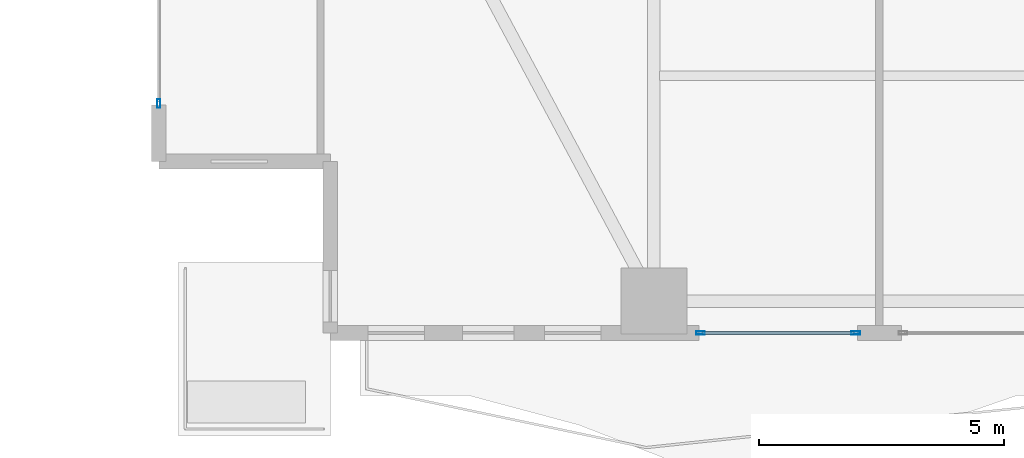
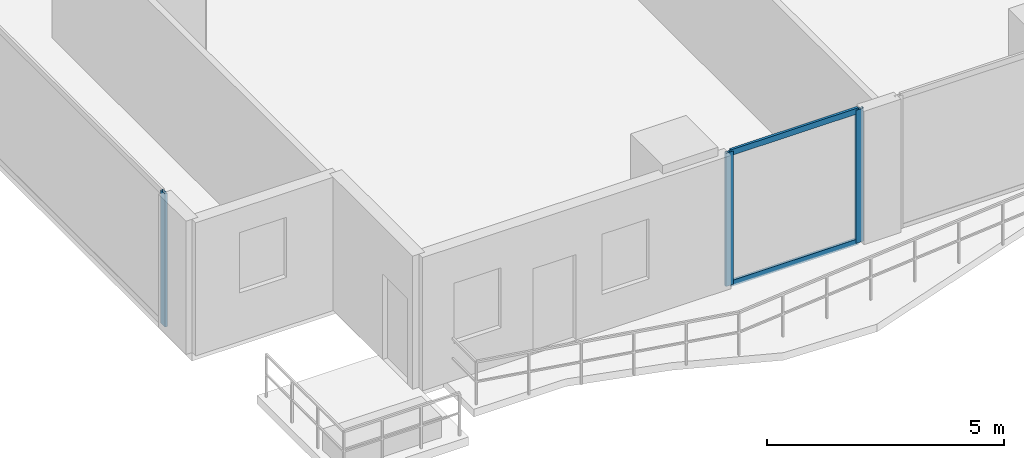
# One storey, part 2 of 28: 5 members, 2 elements without a shape of their own.
"""IFC4 building model written with IfcOpenShell, lengths in metres."""

import ifcopenshell
import ifcopenshell.guid

model = None  # the IFC model being written
_history = None  # IfcOwnerHistory: only IFC2X3 demands one
_inside = {}  # id of a spatial element -> (the spatial element, [elements in it])
_under = {}  # id of a project, library or spatial element -> (it, [spatial elements below it])
_declared = {}  # id of a project -> (the project, [libraries it declares])
_typed = {}  # id of a type object -> (the type object, [elements of that type])
_made_of = {}  # id of a material, layer set ... -> (it, [elements and type objects made of it])


def new_model(schema):
    """Start an empty IFC model of exactly this schema.

    Asked for "IFC4X3", IfcOpenShell would pick the latest addendum, in which some entities
    have other attributes; the version numbers below select the first issue.
    IFC2X3 requires an IfcOwnerHistory on every rooted entity: one is made here for all.
    """
    global model, _history
    if schema == "IFC4X3":
        model = ifcopenshell.file(schema_version=(4, 3, 0, 0))
    else:
        model = ifcopenshell.file(schema=schema)
    _inside.clear()
    _under.clear()
    _declared.clear()
    _typed.clear()
    _made_of.clear()
    _history = None
    if model.schema == "IFC2X3":
        org = make("IfcOrganization", Name="unknown")
        user = make(
            "IfcPersonAndOrganization",
            ThePerson=make("IfcPerson", FamilyName="unknown"),
            TheOrganization=org,
        )
        app = make(
            "IfcApplication",
            ApplicationDeveloper=org,
            Version="unknown",
            ApplicationFullName="unknown",
            ApplicationIdentifier="unknown",
        )
        _history = make(
            "IfcOwnerHistory",
            OwningUser=user,
            OwningApplication=app,
            ChangeAction="ADDED",
            CreationDate=0,
        )
    return model


def make(cls, **values):
    """One entity of the class cls with the attributes given. An attribute that is None is left unset."""
    return model.create_entity(
        cls, **{name: value for name, value in values.items() if value is not None}
    )


def rooted(cls, **values):
    """An entity with a GlobalId (a new one), such as an element, a storey or a relation."""
    return make(cls, GlobalId=ifcopenshell.guid.new(), OwnerHistory=_history, **values)


def si_unit(unit_type, name, prefix=None):
    """IfcSIUnit, for example si_unit("LENGTHUNIT", "METRE", prefix="MILLI")."""
    return make("IfcSIUnit", UnitType=unit_type, Prefix=prefix, Name=name)


def assignment(units):
    """IfcUnitAssignment: the units of a project."""
    return None if units is None else make("IfcUnitAssignment", Units=units)


def point(xyz):
    """IfcCartesianPoint."""
    return None if xyz is None else make("IfcCartesianPoint", Coordinates=xyz)


def direction(xyz):
    """IfcDirection."""
    return None if xyz is None else make("IfcDirection", DirectionRatios=xyz)


def frame(location, z_axis=None, x_axis=None):
    """IfcAxis2Placement3D, a coordinate frame: its origin and axes. An axis left out is left unset."""
    return make(
        "IfcAxis2Placement3D",
        Location=point(location),
        Axis=direction(z_axis),
        RefDirection=direction(x_axis),
    )


def frame_2d(location, x_axis=None):
    """IfcAxis2Placement2D, a coordinate frame in the plane: its origin and x axis."""
    return make(
        "IfcAxis2Placement2D", Location=point(location), RefDirection=direction(x_axis)
    )


def origin():
    """The frame at (0, 0, 0) with its axes left unset."""
    return frame((0.0, 0.0, 0.0))


def origin_2d():
    """The frame at (0, 0) in the plane with its x axis left unset."""
    return frame_2d((0.0, 0.0))


def place(relative_to, where):
    """IfcLocalPlacement: puts the frame where relative to a parent placement (None: the world)."""
    return make(
        "IfcLocalPlacement", PlacementRelTo=relative_to, RelativePlacement=where
    )


def context(
    kind, dimensions, precision=None, world=None, true_north=None, identifier=None
):
    """IfcGeometricRepresentationContext, for example the 3D "Model" context."""
    return make(
        "IfcGeometricRepresentationContext",
        ContextIdentifier=identifier,
        ContextType=kind,
        CoordinateSpaceDimension=dimensions,
        Precision=precision,
        WorldCoordinateSystem=world,
        TrueNorth=true_north,
    )


def subcontext(parent, identifier, kind, view, scale=None):
    """IfcGeometricRepresentationSubContext, for example "Body" below "Model"."""
    return make(
        "IfcGeometricRepresentationSubContext",
        ContextIdentifier=identifier,
        ContextType=kind,
        ParentContext=parent,
        TargetScale=scale,
        TargetView=view,
    )


def project(units=None, contexts=None):
    """IfcProject with its units and contexts."""
    return rooted(
        "IfcProject",
        Name="project",
        RepresentationContexts=contexts,
        UnitsInContext=assignment(units),
    )


def spatial(cls, under=None, at=None, **own):
    """A site, building, storey or space (cls), placed at a placement, below another one or the project."""
    s = rooted(cls, ObjectPlacement=at, **own)
    if under is not None:
        _under.setdefault(under.id(), (under, []))[1].append(s)
    return s


def profile(cls, at=None, kind="AREA", **sizes):
    """A parametric profile (cls). Its sizes go by their IFC names, for example OverallWidth=200.0."""
    return make(cls, ProfileType=kind, Position=at, **sizes)


def hollow_rectangle(**sizes):
    """IfcRectangleHollowProfileDef."""
    return profile("IfcRectangleHollowProfileDef", **sizes)


def extrude(swept, where, along, depth):
    """IfcExtrudedAreaSolid: the profile swept, set in the frame where, extruded along a direction by depth."""
    return make(
        "IfcExtrudedAreaSolid",
        SweptArea=swept,
        Position=where,
        ExtrudedDirection=direction(along),
        Depth=depth,
    )


def shape(context_of_items, identifier, shape_type, items):
    """IfcShapeRepresentation: the items that make up one representation, for example the "Body"."""
    return make(
        "IfcShapeRepresentation",
        ContextOfItems=context_of_items,
        RepresentationIdentifier=identifier,
        RepresentationType=shape_type,
        Items=items,
    )


def material(Name=None, Category=None):
    """IfcMaterial."""
    return make("IfcMaterial", Name=Name, Category=Category)


def layer(
    of_material, thickness, ventilated=None, Name=None, Category=None, Priority=None
):
    """IfcMaterialLayer: one layer of a wall or slab, of a material (None: an air gap)."""
    return make(
        "IfcMaterialLayer",
        Material=of_material,
        LayerThickness=thickness,
        IsVentilated=ventilated,
        Name=Name,
        Category=Category,
        Priority=Priority,
    )


def layer_set(layers, Name=None):
    """IfcMaterialLayerSet."""
    return make("IfcMaterialLayerSet", MaterialLayers=layers, LayerSetName=Name)


def material_profile(
    of_material, cross_section, Name=None, Category=None, Priority=None
):
    """IfcMaterialProfile: a cross section and its material."""
    return make(
        "IfcMaterialProfile",
        Name=Name,
        Material=of_material,
        Profile=cross_section,
        Priority=Priority,
        Category=Category,
    )


def profile_set(profiles, Name=None, composite=None):
    """IfcMaterialProfileSet."""
    return make(
        "IfcMaterialProfileSet",
        Name=Name,
        MaterialProfiles=profiles,
        CompositeProfile=composite,
    )


def made_of(thing, what):
    """Note that an element or type object is made of a material, layer set ...; save() writes the relation."""
    if what is not None:
        _made_of.setdefault(what.id(), (what, []))[1].append(thing)
    return thing


def type_object(cls, material=None, **own):
    """A type object (cls), such as IfcWallType, which elements share."""
    return made_of(rooted(cls, **own), material)


def element(
    cls,
    number,
    at=None,
    inside=None,
    cuts=None,
    type_object=None,
    material=None,
    context=None,
    identifier="Body",
    shape_type=None,
    held_by="IfcProductDefinitionShape",
    body=None,
    shapes=None,
    **own,
):
    """One element of the class cls, such as IfcWall. Its Tag is "e" and its number.

    at: its placement. inside: the storey or other place that contains it. cuts: it is an
    opening in that element (IfcRelVoidsElement). A single representation is given by context,
    identifier, shape_type and body (its items); several are given by shapes. held_by: the class
    of the entity that holds the representations. save() writes the other relations.
    """
    e = rooted(cls, Tag="e%d" % number, ObjectPlacement=at, **own)
    if body is not None:
        shapes = [shape(context, identifier, shape_type, body)]
    if shapes is not None:
        e.Representation = make(held_by, Representations=shapes)
    if inside is not None:
        _inside.setdefault(inside.id(), (inside, []))[1].append(e)
    if cuts is not None:
        rooted(
            "IfcRelVoidsElement", RelatingBuildingElement=cuts, RelatedOpeningElement=e
        )
    if type_object is not None:
        _typed.setdefault(type_object.id(), (type_object, []))[1].append(e)
    return made_of(e, material)


def aggregate(whole, parts):
    """IfcRelAggregates: a whole, such as a stair, and the parts it consists of."""
    return rooted("IfcRelAggregates", RelatingObject=whole, RelatedObjects=parts)


def save(model, path):
    """Write the relations noted so far, then the file.

    IfcRelAggregates (storeys below a building ...), IfcRelContainedInSpatialStructure (elements
    in a storey), IfcRelDefinesByType, IfcRelAssociatesMaterial and IfcRelDeclares: one each for
    every whole, place, type object, material and project.
    """
    for whole, parts in _under.values():
        aggregate(whole, parts)
    for where, things in _inside.values():
        rooted(
            "IfcRelContainedInSpatialStructure",
            RelatedElements=things,
            RelatingStructure=where,
        )
    for kind, things in _typed.values():
        rooted("IfcRelDefinesByType", RelatedObjects=things, RelatingType=kind)
    for what, things in _made_of.values():
        rooted("IfcRelAssociatesMaterial", RelatedObjects=things, RelatingMaterial=what)
    for by, libraries in _declared.values():
        rooted("IfcRelDeclares", RelatingContext=by, RelatedDefinitions=libraries)
    model.write(path)


model = new_model("IFC4")

# Units and contexts
model_context = context("Model", 3, precision=1e-05, world=origin(), true_north=direction((0.0, 1.0)))
body_context = subcontext(model_context, "Body", "Model", "MODEL_VIEW")
ifc_project = project(units=[si_unit("LENGTHUNIT", "METRE"), si_unit("AREAUNIT", "SQUARE_METRE"), si_unit("VOLUMEUNIT", "CUBIC_METRE"), si_unit("PLANEANGLEUNIT", "RADIAN"), si_unit("MASSUNIT", "GRAM", prefix="KILO")], contexts=[model_context])

# Site, building, storey
site_placement = place(None, origin())
site = spatial("IfcSite", under=ifc_project, at=site_placement, CompositionType="ELEMENT")
building_placement = place(site_placement, origin())
building = spatial("IfcBuilding", under=site, at=building_placement, Name="Zuhayl Quay Hotel", CompositionType="ELEMENT")
storey_placement = place(building_placement, frame((0.0, 0.0, 121.199951171875)))
storey = spatial("IfcBuildingStorey", under=building, at=storey_placement, Name="L30", CompositionType="ELEMENT", Elevation=121.199951171875)

# Curtain wall, member
ifc_material_1 = material(Name="Anodised Aluminium 6063-T6", Category="aluminium")
ifc_layer = layer(ifc_material_1, 0.179931640625, Name="Anodised Aluminium 6063-T6", Category="aluminium")
ifc_layer_set = layer_set([ifc_layer], Name="Anodised Aluminium 6063-T6")
curtain_wall_type = type_object("IfcCurtainWallType", Name="CW_SYS_Z2", PredefinedType="USERDEFINED", material=ifc_layer_set)
curtain_wall_1_placement = place(storey_placement, origin())
curtain_wall_1 = element("IfcCurtainWall", 1, at=curtain_wall_1_placement, inside=storey, type_object=curtain_wall_type, Name="L30 Curtain Wall ENV_L30_E02_CW1", ObjectType="UNITISED CURTAIN WALL", PredefinedType="USERDEFINED")
ifc_material_2 = material(Name="Black-anodised aluminium 6063-T6", Category="aluminium")
ifc_material_profile_1 = material_profile(ifc_material_2, hollow_rectangle(XDim=0.06494140625, YDim=0.179931640625, WallThickness=0.00341796875, at=origin_2d()), Name="ALU180X65")
ifc_profile_set_1 = profile_set([ifc_material_profile_1], Name="Black-anodised aluminium 6063-T6")
member_type_1 = type_object("IfcMemberType", Name="MB_CW_MUL_180", PredefinedType="MULLION", material=ifc_profile_set_1)
member_1_placement = place(storey_placement, frame((-23.89990234375, -10.717529296875, 0.0), z_axis=(0.0, 0.0, 1.0), x_axis=(-1.0, 0.0, 0.0)))
member_1 = element("IfcMember", 2, at=member_1_placement, type_object=member_type_1, Name="CW-Z2 mullion 1", PredefinedType="MULLION", context=body_context, shape_type="SweptSolid", body=[
    extrude(hollow_rectangle(XDim=0.06494140625, YDim=0.179931640625, WallThickness=0.00341796875, at=origin_2d()), origin(), (0.0, 0.0, 1.0), 3.429931640625),
])
aggregate(curtain_wall_1, [member_1])

# Curtain wall, members
curtain_wall_2_placement = place(storey_placement, origin())
curtain_wall_2 = element("IfcCurtainWall", 3, at=curtain_wall_2_placement, inside=storey, type_object=curtain_wall_type, Name="L30 Curtain Wall ENV_L30_S_CW7", ObjectType="UNITISED CURTAIN WALL", PredefinedType="USERDEFINED")
member_2_placement = place(storey_placement, frame((-9.6826171875, -15.39990234375, 0.0), z_axis=(0.0, 0.0, 1.0), x_axis=(0.0, -1.0, 0.0)))
member_2 = element("IfcMember", 4, at=member_2_placement, type_object=member_type_1, Name="CW-Z2 mullion 1", PredefinedType="MULLION", context=body_context, shape_type="SweptSolid", body=[
    extrude(hollow_rectangle(XDim=0.06494140625, YDim=0.179931640625, WallThickness=0.00341796875, at=origin_2d()), origin(), (0.0, 0.0, 1.0), 3.429931640625),
])
member_3_placement = place(storey_placement, frame((-12.847412109375, -15.39990234375, 0.0), z_axis=(0.0, 0.0, 1.0), x_axis=(0.0, -1.0, 0.0)))
member_3 = element("IfcMember", 5, at=member_3_placement, type_object=member_type_1, Name="CW-Z2 mullion 2", PredefinedType="MULLION", context=body_context, shape_type="SweptSolid", body=[
    extrude(hollow_rectangle(XDim=0.06494140625, YDim=0.179931640625, WallThickness=0.00341796875, at=origin_2d()), origin(), (0.0, 0.0, 1.0), 3.429931640625),
])
ifc_material_profile_2 = material_profile(ifc_material_2, hollow_rectangle(XDim=0.06005859375, YDim=0.14990234375, WallThickness=0.00341796875, at=origin_2d()), Name="ALU150X60")
ifc_profile_set_2 = profile_set([ifc_material_profile_2], Name="Black-anodised aluminium 6063-T6")
member_type_2 = type_object("IfcMemberType", Name="MB_CW_TRN_150", PredefinedType="USERDEFINED", material=ifc_profile_set_2)
member_4_placement = place(storey_placement, frame((-9.715087890625, -15.39990234375, 0.030029296875), z_axis=(-1.0, 0.0, 0.0), x_axis=(0.0, -1.0, 0.0)))
member_4 = element("IfcMember", 6, at=member_4_placement, type_object=member_type_2, Name="CW-Z2 transom 1.1", ObjectType="TRANSOM", PredefinedType="USERDEFINED", context=body_context, shape_type="SweptSolid", body=[
    extrude(hollow_rectangle(XDim=0.06005859375, YDim=0.14990234375, WallThickness=0.00341796875, at=origin_2d()), origin(), (0.0, 0.0, 1.0), 3.099853515625),
])
member_5_placement = place(storey_placement, frame((-9.715087890625, -15.39990234375, 3.400146484375), z_axis=(-1.0, 0.0, 0.0), x_axis=(0.0, -1.0, 0.0)))
member_5 = element("IfcMember", 7, at=member_5_placement, type_object=member_type_2, Name="CW-Z2 transom 1.2", ObjectType="TRANSOM", PredefinedType="USERDEFINED", context=body_context, shape_type="SweptSolid", body=[
    extrude(hollow_rectangle(XDim=0.06005859375, YDim=0.14990234375, WallThickness=0.00341796875, at=origin_2d()), origin(), (0.0, 0.0, 1.0), 3.099853515625),
])
aggregate(curtain_wall_2, [member_2, member_3, member_4, member_5])

save(model, "model.ifc")
